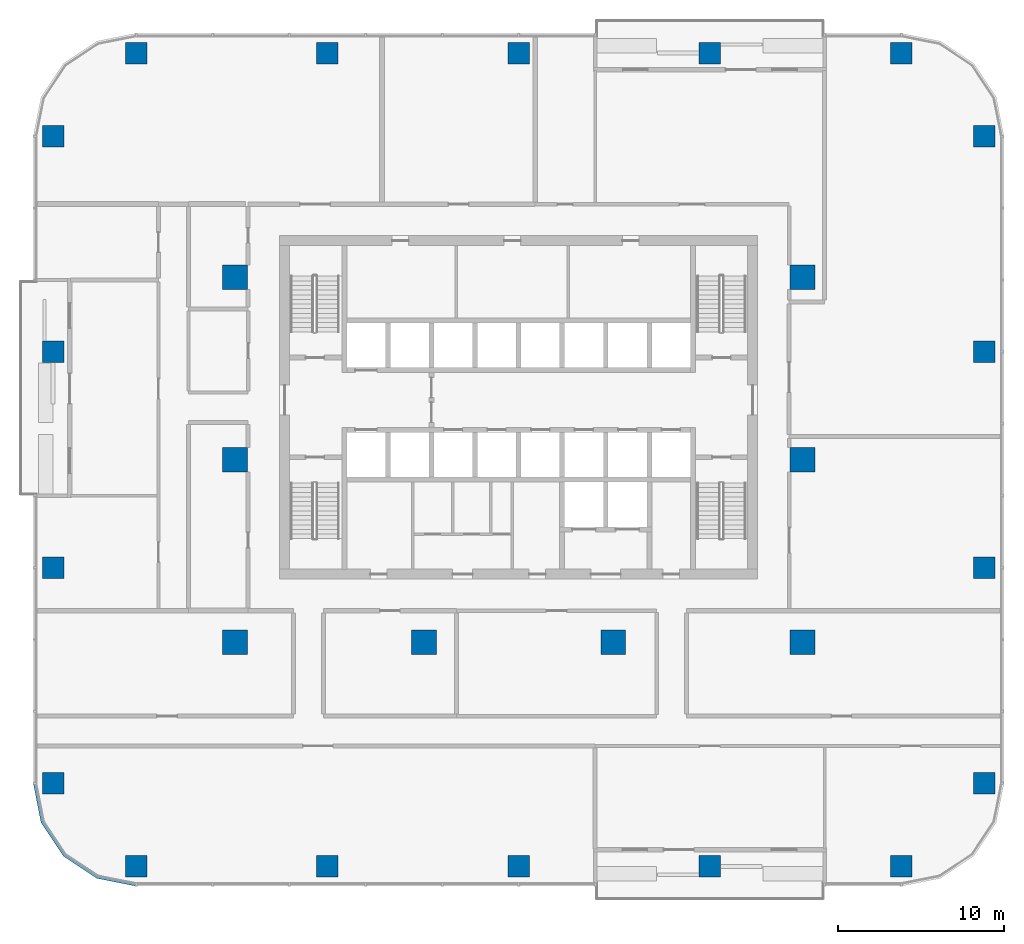
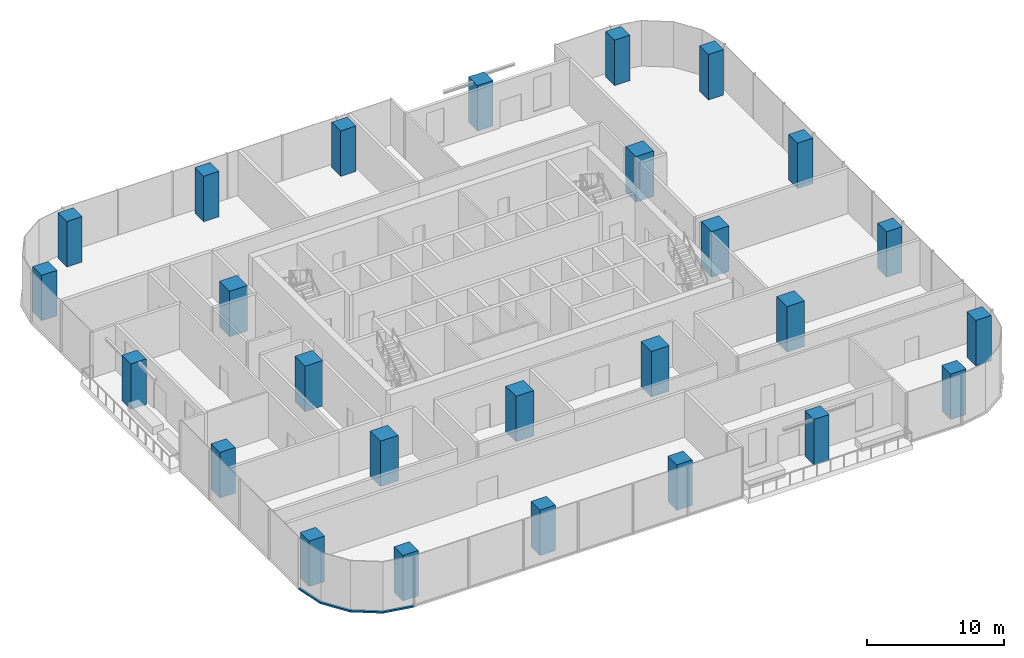
# One storey, part 1 of 15: 26 columns, 1 member, 1 element without a shape of its own.
"""IFC4 building model written with IfcOpenShell, lengths in metres."""

from ifc_helpers import new_model, si_unit, direction, frame, origin, origin_2d, place, context, subcontext, project, spatial, polyline, rectangle, outline, extrude, material, material_profile, profile_set, type_object, element, aggregate, save


model = new_model("IFC4")

# Units and contexts
model_context = context("Model", 3, precision=1e-05, world=origin(), true_north=direction((0.0, 1.0)))
body_context = subcontext(model_context, "Body", "Model", "MODEL_VIEW")
ifc_project = project(units=[si_unit("LENGTHUNIT", "METRE"), si_unit("AREAUNIT", "SQUARE_METRE"), si_unit("VOLUMEUNIT", "CUBIC_METRE"), si_unit("PLANEANGLEUNIT", "RADIAN"), si_unit("MASSUNIT", "GRAM", prefix="KILO")], contexts=[model_context])

# Site, building, storey
site_placement = place(None, origin())
site = spatial("IfcSite", under=ifc_project, at=site_placement, CompositionType="ELEMENT")
building_placement = place(site_placement, origin())
building = spatial("IfcBuilding", under=site, at=building_placement, Name="Mopane Tessera Tower", CompositionType="ELEMENT")
storey_placement = place(building_placement, frame((0.0, 0.0, 99.10009765625)))
storey = spatial("IfcBuildingStorey", under=building, at=storey_placement, Name="L19", CompositionType="ELEMENT", Elevation=99.10009765625)

# Columns
ifc_material_1 = material(Name="Concrete C60/75", Category="concrete")
ifc_material_profile_1 = material_profile(ifc_material_1, rectangle(XDim=1.5, YDim=1.5, at=origin_2d()))
ifc_profile_set_1 = profile_set([ifc_material_profile_1], Name="Concrete C60/75")
column_type_1 = type_object("IfcColumnType", Name="Interior column 1500 x 1500 C60/75", PredefinedType="COLUMN", material=ifc_profile_set_1)
for number, where, z_axis, x_axis, name in (
    (1, (-17.10009765625, -11.0, 0.0), (0.0, 0.0, 1.0), (1.0, 0.0, 0.0), "Interior column I1A L19"),
    (2, (-17.10009765625, 0.0, 0.0), (0.0, 0.0, 1.0), (1.0, 0.0, 0.0), "Interior column I1B L19"),
    (3, (-17.10009765625, 11.0, 0.0), (0.0, 0.0, 1.0), (1.0, 0.0, 0.0), "Interior column I1C L19"),
    (4, (-5.699951171875, -11.0, 0.0), (0.0, 0.0, 1.0), (1.0, 0.0, 0.0), "Interior column I2A L19"),
    (5, (5.699951171875, -11.0, 0.0), (0.0, 0.0, 1.0), (1.0, 0.0, 0.0), "Interior column I3A L19"),
    (6, (17.10009765625, -11.0, 0.0), (0.0, 0.0, 1.0), (1.0, 0.0, 0.0), "Interior column I4A L19"),
    (7, (17.10009765625, 0.0, 0.0), (0.0, 0.0, 1.0), (1.0, 0.0, 0.0), "Interior column I4B L19"),
    (8, (17.10009765625, 11.0, 0.0), (0.0, 0.0, 1.0), (1.0, 0.0, 0.0), "Interior column I4C L19"),
):
    element("IfcColumn", number, at=place(storey_placement, frame(where, z_axis=z_axis, x_axis=x_axis)), inside=storey, type_object=column_type_1, Name=name, PredefinedType="COLUMN", context=body_context, shape_type="SweptSolid", body=[
        extrude(rectangle(XDim=1.5, YDim=1.5, at=origin_2d()), origin(), (0.0, 0.0, 1.0), 4.0498046875),
    ])
ifc_material_2 = material(Name="Concrete C60/75", Category="concrete")
ifc_material_profile_2 = material_profile(ifc_material_2, rectangle(XDim=1.300048828125, YDim=1.300048828125, at=origin_2d()))
ifc_profile_set_2 = profile_set([ifc_material_profile_2], Name="Concrete C60/75")
column_type_2 = type_object("IfcColumnType", Name="Ring column 1300 x 1300 C60/75", PredefinedType="COLUMN", material=ifc_profile_set_2)
for number, where, z_axis, x_axis, name in (
    (9, (-23.050048828125, -24.5, 0.0), (0.0, 0.0, 1.0), (1.0, 0.0, 0.0), "Ring column S0 L19"),
    (10, (-11.52490234375, -24.5, 0.0), (0.0, 0.0, 1.0), (1.0, 0.0, 0.0), "Ring column S1 L19"),
    (11, (0.0, -24.5, 0.0), (0.0, 0.0, 1.0), (1.0, 0.0, 0.0), "Ring column S2 L19"),
    (12, (11.52490234375, -24.5, 0.0), (0.0, 0.0, 1.0), (1.0, 0.0, 0.0), "Ring column S3 L19"),
    (13, (23.050048828125, -24.5, 0.0), (0.0, 0.0, 1.0), (1.0, 0.0, 0.0), "Ring column S4 L19"),
    (14, (28.050048828125, -19.5, 0.0), (0.0, 0.0, 1.0), (1.0, 0.0, 0.0), "Ring column E0 L19"),
    (15, (28.050048828125, -6.5, 0.0), (0.0, 0.0, 1.0), (1.0, 0.0, 0.0), "Ring column E1 L19"),
    (16, (28.050048828125, 6.5, 0.0), (0.0, 0.0, 1.0), (1.0, 0.0, 0.0), "Ring column E2 L19"),
    (17, (28.050048828125, 19.5, 0.0), (0.0, 0.0, 1.0), (1.0, 0.0, 0.0), "Ring column E3 L19"),
    (18, (23.050048828125, 24.5, 0.0), (0.0, 0.0, 1.0), (1.0, 0.0, 0.0), "Ring column N0 L19"),
    (19, (11.52490234375, 24.5, 0.0), (0.0, 0.0, 1.0), (1.0, 0.0, 0.0), "Ring column N1 L19"),
    (20, (0.0, 24.5, 0.0), (0.0, 0.0, 1.0), (1.0, 0.0, 0.0), "Ring column N2 L19"),
    (21, (-11.52490234375, 24.5, 0.0), (0.0, 0.0, 1.0), (1.0, 0.0, 0.0), "Ring column N3 L19"),
    (22, (-23.050048828125, 24.5, 0.0), (0.0, 0.0, 1.0), (1.0, 0.0, 0.0), "Ring column N4 L19"),
    (23, (-28.050048828125, 19.5, 0.0), (0.0, 0.0, 1.0), (1.0, 0.0, 0.0), "Ring column W0 L19"),
    (24, (-28.050048828125, 6.5, 0.0), (0.0, 0.0, 1.0), (1.0, 0.0, 0.0), "Ring column W1 L19"),
    (25, (-28.050048828125, -6.5, 0.0), (0.0, 0.0, 1.0), (1.0, 0.0, 0.0), "Ring column W2 L19"),
    (26, (-28.050048828125, -19.5, 0.0), (0.0, 0.0, 1.0), (1.0, 0.0, 0.0), "Ring column W3 L19"),
):
    element("IfcColumn", number, at=place(storey_placement, frame(where, z_axis=z_axis, x_axis=x_axis)), inside=storey, type_object=column_type_2, Name=name, PredefinedType="COLUMN", context=body_context, shape_type="SweptSolid", body=[
        extrude(rectangle(XDim=1.300048828125, YDim=1.300048828125, at=origin_2d()), origin(), (0.0, 0.0, 1.0), 4.0498046875),
    ])

# Curtain wall, member
ifc_material_3 = material(Name="Aluminium frame", Category="aluminium")
curtain_wall_type = type_object("IfcCurtainWallType", Name="Lower tower unitised wall", PredefinedType="NOTDEFINED", material=ifc_material_3)
curtain_wall_placement = place(storey_placement, origin())
curtain_wall = element("IfcCurtainWall", 27, at=curtain_wall_placement, inside=storey, type_object=curtain_wall_type, Name="e:cw:L19:CW", PredefinedType="NOTDEFINED")
ifc_material_4 = material(Name="Aluminium frame", Category="aluminium")
ifc_material_profile_3 = material_profile(ifc_material_4, rectangle(XDim=0.199951171875, YDim=0.139892578125, at=origin_2d()))
ifc_profile_set_3 = profile_set([ifc_material_profile_3], Name="Aluminium frame")
member_type = type_object("IfcMemberType", Name="Aluminium transom 200 x 140", PredefinedType="USERDEFINED", material=ifc_profile_set_3)
member_placement = place(storey_placement, frame((0.0, 0.0, -0.4501953125)))
member = element("IfcMember", 28, at=member_placement, type_object=member_type, Name="e:cw:L19:CW:tr", ObjectType="TRANSOM", PredefinedType="USERDEFINED", context=body_context, shape_type="SweptSolid", body=[
    extrude(outline(polyline([(-29.050048828125, -19.5), (-28.59326171875, -21.796142578125), (-27.292724609375, -23.74267578125), (-25.34619140625, -25.043212890625), (-23.050048828125, -25.5), (-23.050048828125, -25.699951171875), (-25.422607421875, -25.22802734375), (-27.43408203125, -23.884033203125), (-28.778076171875, -21.87255859375), (-29.25, -19.5), (-29.050048828125, -19.5)])), origin(), (0.0, 0.0, 1.0), 0.14013671875),
])
aggregate(curtain_wall, [member])

save(model, "model.ifc")
